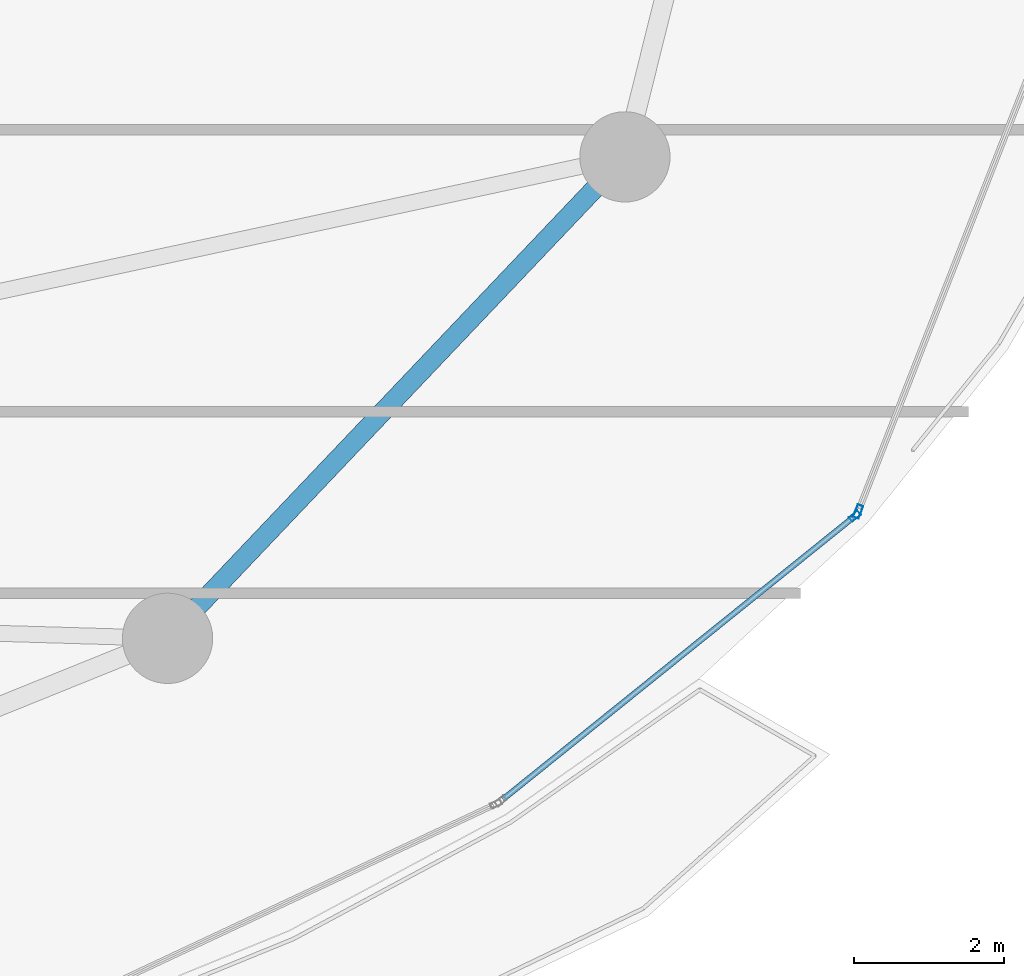
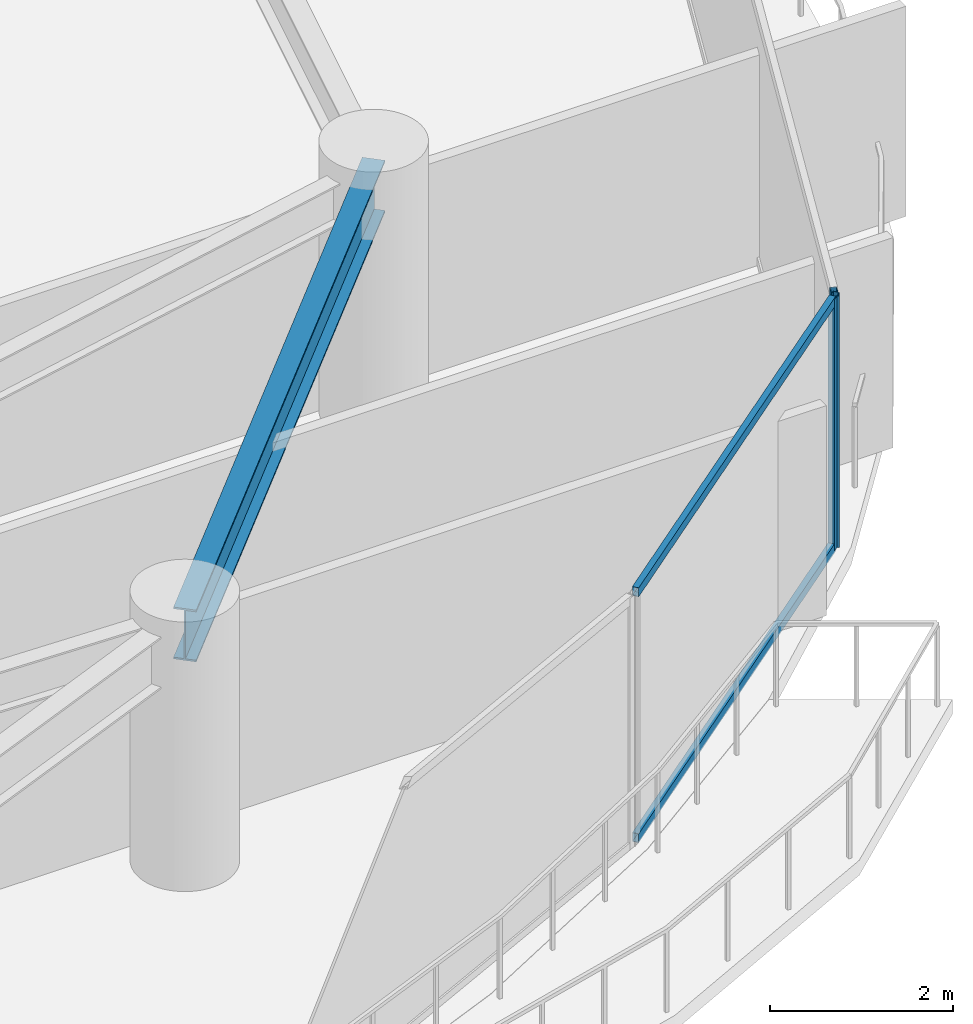
# One storey, part 15 of 33: 4 members, 1 beam, 2 elements without a shape of their own.
"""IFC4 building model written with IfcOpenShell, lengths in metres."""

from ifc_helpers import new_model, si_unit, direction, frame, origin, origin_2d, place, context, subcontext, project, spatial, hollow_rectangle, i_section, extrude, material, layer, layer_set, material_profile, profile_set, type_object, element, aggregate, save


model = new_model("IFC4")

# Units and contexts
model_context = context("Model", 3, precision=1e-05, world=origin(), true_north=direction((0.0, 1.0)))
body_context = subcontext(model_context, "Body", "Model", "MODEL_VIEW")
ifc_project = project(units=[si_unit("LENGTHUNIT", "METRE"), si_unit("AREAUNIT", "SQUARE_METRE"), si_unit("VOLUMEUNIT", "CUBIC_METRE"), si_unit("PLANEANGLEUNIT", "RADIAN"), si_unit("MASSUNIT", "GRAM", prefix="KILO")], contexts=[model_context])

# Site, building, storey
site_placement = place(None, origin())
site = spatial("IfcSite", under=ifc_project, at=site_placement, CompositionType="ELEMENT")
building_placement = place(site_placement, origin())
building = spatial("IfcBuilding", under=site, at=building_placement, Name="Kazevale Care Tower and Concert Hall", CompositionType="ELEMENT")
storey_placement = place(building_placement, frame((0.0, 0.0, 145.800048828125)))
storey = spatial("IfcBuildingStorey", under=building, at=storey_placement, Name="L38", CompositionType="ELEMENT", Elevation=145.800048828125)

# Curtain wall, member
ifc_material_1 = material(Name="Aluminium 6063-T6 and Low-E Glass", Category="aluminium")
ifc_layer_1 = layer(ifc_material_1, 0.179931640625)
ifc_layer_set_1 = layer_set([ifc_layer_1], Name="Aluminium 6063-T6 and Low-E Glass")
curtain_wall_type_1 = type_object("IfcCurtainWallType", Name="Waist & Upper Residential Curtain Wall CW-4", PredefinedType="NOTDEFINED", material=ifc_layer_set_1)
curtain_wall_1_placement = place(storey_placement, origin())
curtain_wall_1 = element("IfcCurtainWall", 1, at=curtain_wall_1_placement, inside=storey, type_object=curtain_wall_type_1, Name="cw:L38:f01", PredefinedType="NOTDEFINED")
ifc_material_2 = material(Name="Aluminium 6063-T6", Category="aluminium")
ifc_material_profile_1 = material_profile(ifc_material_2, hollow_rectangle(XDim=0.080078125, YDim=0.179931640625, WallThickness=0.0048828125, at=origin_2d()), Name="ALU80x180x5")
ifc_profile_set_1 = profile_set([ifc_material_profile_1], Name="Aluminium 6063-T6")
member_type_1 = type_object("IfcMemberType", Name="CW-4 Mullion ALU80x180x5", PredefinedType="MULLION", material=ifc_profile_set_1)
member_1_placement = place(storey_placement, frame((74.010498046875, 24.67529296875, 0.0), z_axis=(0.0, 0.0, 1.0), x_axis=(0.931351746651, -0.36412075471, 0.0)))
member_1 = element("IfcMember", 2, at=member_1_placement, type_object=member_type_1, Name="CW-4 mullion 2", PredefinedType="MULLION", context=body_context, shape_type="SweptSolid", body=[
    extrude(hollow_rectangle(XDim=0.080078125, YDim=0.179931640625, WallThickness=0.0048828125, at=origin_2d()), origin(), (0.0, 0.0, 1.0), 3.35986328125),
])
aggregate(curtain_wall_1, [member_1])

# Curtain wall, members
ifc_layer_2 = layer(ifc_material_1, 0.179931640625)
ifc_layer_set_2 = layer_set([ifc_layer_2], Name="Aluminium 6063-T6 and Low-E Glass")
curtain_wall_type_2 = type_object("IfcCurtainWallType", Name="Sheltered Concave Balcony Curtain Wall CW-5", PredefinedType="NOTDEFINED", material=ifc_layer_set_2)
curtain_wall_2_placement = place(storey_placement, origin())
curtain_wall_2 = element("IfcCurtainWall", 3, at=curtain_wall_2_placement, inside=storey, type_object=curtain_wall_type_2, Name="cw:L38:f02", PredefinedType="NOTDEFINED")
ifc_material_profile_2 = material_profile(ifc_material_2, hollow_rectangle(XDim=0.074951171875, YDim=0.14990234375, WallThickness=0.00390625, at=origin_2d()), Name="ALU75x150x4")
ifc_profile_set_2 = profile_set([ifc_material_profile_2], Name="Aluminium 6063-T6")
member_type_2 = type_object("IfcMemberType", Name="CW-5 Mullion ALU75x150x4", PredefinedType="MULLION", material=ifc_profile_set_2)
member_2_placement = place(storey_placement, frame((73.966796875, 24.614501953125, 0.0), z_axis=(0.0, 0.0, 1.0), x_axis=(0.626905357502, -0.779095419531, 0.0)))
member_2 = element("IfcMember", 4, at=member_2_placement, type_object=member_type_2, Name="CW-5 mullion 1", PredefinedType="MULLION", context=body_context, shape_type="SweptSolid", body=[
    extrude(hollow_rectangle(XDim=0.074951171875, YDim=0.14990234375, WallThickness=0.00390625, at=origin_2d()), origin(), (0.0, 0.0, 1.0), 3.35986328125),
])
ifc_material_profile_3 = material_profile(ifc_material_2, hollow_rectangle(XDim=0.074951171875, YDim=0.1201171875, WallThickness=0.00390625, at=origin_2d()), Name="ALU75x120x4")
ifc_profile_set_3 = profile_set([ifc_material_profile_3], Name="Aluminium 6063-T6")
member_type_3 = type_object("IfcMemberType", Name="CW-5 Transom ALU75x120x4", PredefinedType="USERDEFINED", material=ifc_profile_set_3)
member_3_placement = place(storey_placement, frame((73.9375, 24.591064453125, 0.037353515625), z_axis=(-0.779097461373, -0.626902819966, 0.0), x_axis=(0.626902819966, -0.779097461373, 0.0)))
member_3 = element("IfcMember", 5, at=member_3_placement, type_object=member_type_3, Name="CW-5 transom 1.1", ObjectType="TRANSOM", PredefinedType="USERDEFINED", context=body_context, shape_type="SweptSolid", body=[
    extrude(hollow_rectangle(XDim=0.074951171875, YDim=0.1201171875, WallThickness=0.00390625, at=origin_2d()), origin(), (0.0, 0.0, 1.0), 5.96728515625),
])
member_4_placement = place(storey_placement, frame((73.9375, 24.591064453125, 3.322509765625), z_axis=(-0.779097461373, -0.626902819966, 0.0), x_axis=(0.626902819966, -0.779097461373, 0.0)))
member_4 = element("IfcMember", 6, at=member_4_placement, type_object=member_type_3, Name="CW-5 transom 1.2", ObjectType="TRANSOM", PredefinedType="USERDEFINED", context=body_context, shape_type="SweptSolid", body=[
    extrude(hollow_rectangle(XDim=0.074951171875, YDim=0.1201171875, WallThickness=0.00390625, at=origin_2d()), origin(), (0.0, 0.0, 1.0), 5.96728515625),
])
aggregate(curtain_wall_2, [member_2, member_3, member_4])

# Beam
ifc_material_3 = material(Name="Steel ASTM A572 Gr 50", Category="steel")
ifc_material_profile_4 = material_profile(ifc_material_3, i_section(OverallWidth=0.256103515625, OverallDepth=0.693115234375, WebThickness=0.014404296875, FlangeThickness=0.023681640625, at=origin_2d()), Name="W690x170")
ifc_profile_set_4 = profile_set([ifc_material_profile_4], Name="Steel ASTM A572 Gr 50")
beam_type = type_object("IfcBeamType", Name="Waist Ring Beam W690x170", PredefinedType="BEAM", material=ifc_profile_set_4)
beam_placement = place(storey_placement, frame((64.830078125, 22.989990234375, 3.013427734375), z_axis=(0.688745100728, 0.725003576697, 0.0), x_axis=(-0.725003576697, 0.688745100728, 0.0)))
element("IfcBeam", 7, at=beam_placement, inside=storey, type_object=beam_type, Name="beam:L38:ring:15", PredefinedType="BEAM", context=body_context, shape_type="SweptSolid", body=[
    extrude(i_section(OverallWidth=0.256103515625, OverallDepth=0.693115234375, WebThickness=0.014404296875, FlangeThickness=0.023681640625, at=origin_2d()), origin(), (0.0, 0.0, 1.0), 8.827392578125),
])

save(model, "model.ifc")
